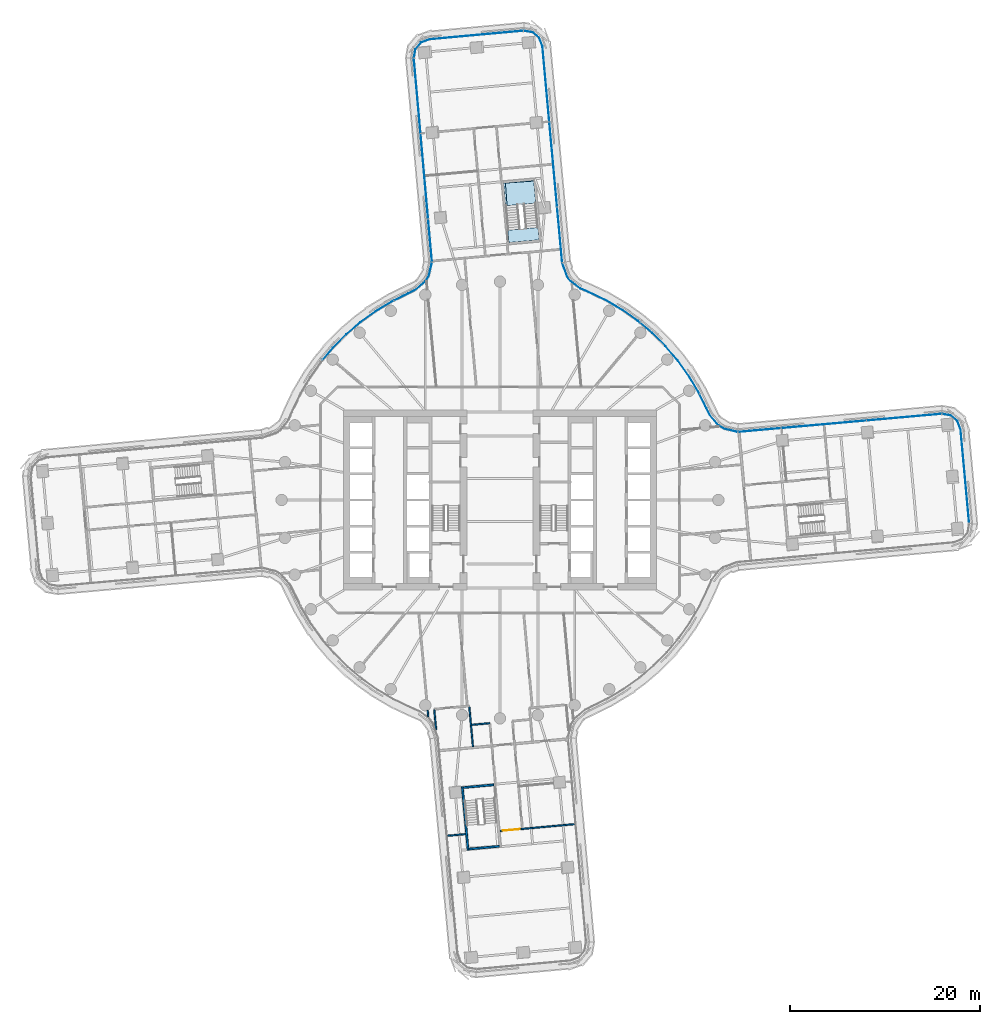
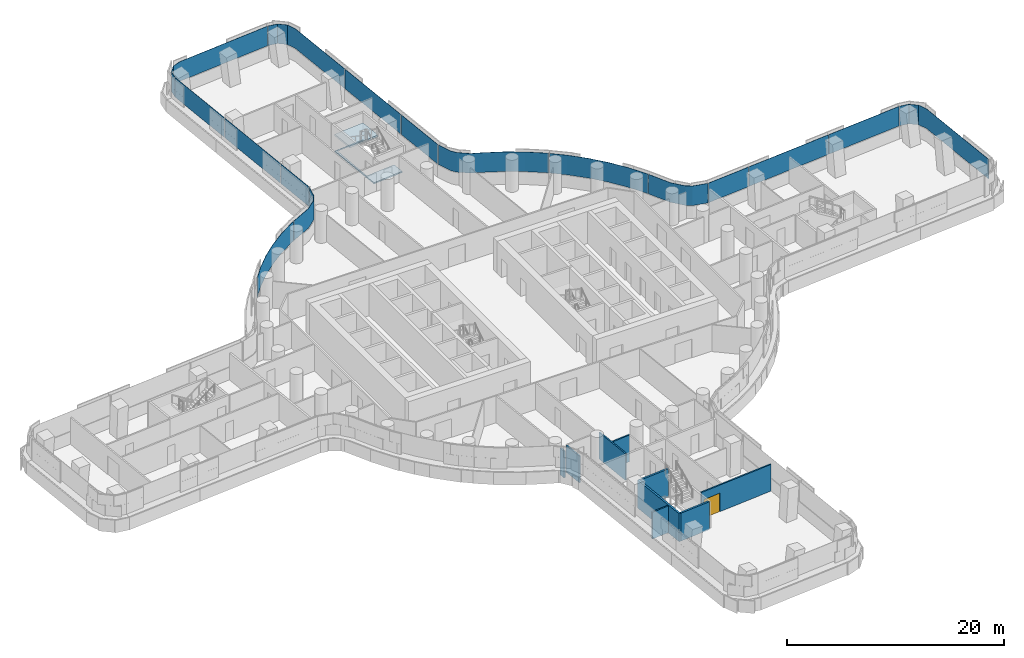
# One storey, part 18 of 31: 16 plates, 9 walls, 2 slabs, 1 door, 1 opening, 8 elements without a shape of their own.
"""IFC4 building model written with IfcOpenShell, lengths in metres."""

from ifc_helpers import new_model, si_unit, direction, frame, frame_2d, origin, place, context, subcontext, project, spatial, polyline, rectangle, outline, extrude, material, layer, layer_set, type_object, element, fill, aggregate, save


model = new_model("IFC4")

# Units and contexts
model_context = context("Model", 3, precision=1e-05, world=origin(), true_north=direction((0.0, 1.0)))
body_context = subcontext(model_context, "Body", "Model", "MODEL_VIEW")
ifc_project = project(units=[si_unit("LENGTHUNIT", "METRE"), si_unit("AREAUNIT", "SQUARE_METRE"), si_unit("VOLUMEUNIT", "CUBIC_METRE"), si_unit("PLANEANGLEUNIT", "RADIAN"), si_unit("MASSUNIT", "GRAM", prefix="KILO")], contexts=[model_context])

# Site, building, storey
site_placement = place(None, origin())
site = spatial("IfcSite", under=ifc_project, at=site_placement, CompositionType="ELEMENT")
building_placement = place(site_placement, origin())
building = spatial("IfcBuilding", under=site, at=building_placement, Name="Tamarind Cross Interchange Tower", CompositionType="ELEMENT")
storey_placement = place(building_placement, frame((0.0, 0.0, 52.75)))
storey = spatial("IfcBuildingStorey", under=building, at=storey_placement, Name="L11", CompositionType="ELEMENT", Elevation=52.75)

# Slab
ifc_material_1 = material(Name="Concrete C35", Category="concrete")
ifc_layer_1 = layer(ifc_material_1, 0.139892578125)
ifc_layer_set_1 = layer_set([ifc_layer_1], Name="Concrete C35")
slab_type_1 = type_object("IfcSlabType", Name="Composite slab 140 Concrete C35", PredefinedType="FLOOR", material=ifc_layer_set_1)
slab_1_placement = place(storey_placement, frame((0.0, 0.0, -0.139892578125)))
element("IfcSlab", 1, at=slab_1_placement, inside=storey, type_object=slab_type_1, Name="Floor slab L11", PredefinedType="FLOOR", context=body_context, shape_type="SweptSolid", body=[
    extrude(outline(polyline([(0.93896484375, 27.106689453125), (4.12548828125, 27.398193359375), (4.013671875, 28.6220703125), (4.006103515625, 28.70458984375), (0.934326171875, 28.423828125), (0.57275390625, 33.3720703125), (3.5595703125, 33.590087890625), (3.552001953125, 33.671875), (0.365234375, 33.380615234375), (0.93896484375, 27.106689453125)])), origin(), (0.0, 0.0, 1.0), 0.139892578125),
])

# Stair, slab
ifc_material_2 = material(Name="Exit stair")
stair_type = type_object("IfcStairType", Name="Exit stair", PredefinedType="HALF_TURN_STAIR", material=ifc_material_2)
stair_placement = place(storey_placement, origin())
stair = element("IfcStair", 2, at=stair_placement, inside=storey, type_object=stair_type, Name="L11 exit stair ST4", PredefinedType="HALF_TURN_STAIR")
ifc_material_3 = material(Name="Concrete C40", Category="concrete")
ifc_layer_2 = layer(ifc_material_3, 0.199951171875)
ifc_layer_set_2 = layer_set([ifc_layer_2], Name="Concrete C40")
slab_type_2 = type_object("IfcSlabType", Name="Stair landing", PredefinedType="LANDING", material=ifc_layer_set_2)
slab_2_placement = place(storey_placement, frame((0.0, 0.0, 1.675048828125)))
slab_2 = element("IfcSlab", 3, at=slab_2_placement, type_object=slab_type_2, Name="ST4 landing 1", PredefinedType="LANDING", context=body_context, shape_type="SweptSolid", body=[
    extrude(outline(polyline([(3.771728515625, 31.27001953125), (3.552001953125, 33.671875), (0.365234375, 33.380615234375), (0.5849609375, 30.978515625), (3.771728515625, 31.27001953125)])), origin(), (0.0, 0.0, 1.0), 0.199951171875),
])
aggregate(stair, [slab_2])

# Curtain wall, plate
ifc_material_4 = material(Name="Aluminium 6063-T6", Category="aluminium")
ifc_layer_3 = layer(ifc_material_4, 0.159912109375)
ifc_layer_set_3 = layer_set([ifc_layer_3], Name="Aluminium 6063-T6")
curtain_wall_type = type_object("IfcCurtainWallType", Name="Office curtain wall, 9.0 m bays", PredefinedType="NOTDEFINED", material=ifc_layer_set_3)
curtain_wall_1_placement = place(storey_placement, origin())
curtain_wall_1 = element("IfcCurtainWall", 4, at=curtain_wall_1_placement, inside=storey, type_object=curtain_wall_type, Name="CWS-L11-00", PredefinedType="NOTDEFINED")
ifc_material_5 = material(Name="Laminated low-e glass 8+1.52+8", Category="glass")
ifc_layer_4 = layer(ifc_material_5, 0.028076171875)
ifc_layer_set_4 = layer_set([ifc_layer_4], Name="Laminated low-e glass 8+1.52+8")
plate_type = type_object("IfcPlateType", Name="Vision panel CW1", PredefinedType="CURTAIN_PANEL", material=ifc_layer_set_4)
plate_1_placement = place(storey_placement, frame((0.0, 0.0, 1.39990234375)))
plate_1 = element("IfcPlate", 5, at=plate_1_placement, type_object=plate_type, Name="CWP-L11-00-00", PredefinedType="CURTAIN_PANEL", context=body_context, shape_type="SweptSolid", body=[
    extrude(outline(polyline([(2.459228515625, 49.39794921875), (-7.4150390625, 48.4951171875), (-8.30615234375, 48.166748046875), (-8.895263671875, 47.459228515625), (-9.0517578125, 46.55078125), (-9.079345703125, 46.555419921875), (-8.92138671875, 47.471435546875), (-8.322998046875, 48.1904296875), (-7.421142578125, 48.522705078125), (2.456787109375, 49.42578125), (2.459228515625, 49.39794921875)])), origin(), (0.0, 0.0, 1.0), 2.210205078125),
])
aggregate(curtain_wall_1, [plate_1])

# Curtain wall, plates
curtain_wall_2_placement = place(storey_placement, origin())
curtain_wall_2 = element("IfcCurtainWall", 6, at=curtain_wall_2_placement, inside=storey, type_object=curtain_wall_type, Name="CWS-L11-01", PredefinedType="NOTDEFINED")
plate_2_placement = place(storey_placement, frame((0.0, 0.0, 1.39990234375)))
plate_2 = element("IfcPlate", 7, at=plate_2_placement, type_object=plate_type, Name="CWP-L11-01-00", PredefinedType="CURTAIN_PANEL", context=body_context, shape_type="SweptSolid", body=[
    extrude(outline(polyline([(-9.053955078125, 46.494873046875), (-8.35205078125, 38.609619140625), (-8.3798828125, 38.607177734375), (-9.081787109375, 46.492431640625), (-9.053955078125, 46.494873046875)])), origin(), (0.0, 0.0, 1.0), 2.210205078125),
])
plate_3_placement = place(storey_placement, frame((0.0, 0.0, 1.39990234375)))
plate_3 = element("IfcPlate", 8, at=plate_3_placement, type_object=plate_type, Name="CWP-L11-01-01", PredefinedType="CURTAIN_PANEL", context=body_context, shape_type="SweptSolid", body=[
    extrude(outline(polyline([(-8.3466796875, 38.550048828125), (-7.553466796875, 29.642578125), (-7.58154296875, 29.64013671875), (-8.37451171875, 38.54736328125), (-8.3466796875, 38.550048828125)])), origin(), (0.0, 0.0, 1.0), 2.210205078125),
])
plate_4_placement = place(storey_placement, frame((0.0, 0.0, 1.39990234375)))
plate_4 = element("IfcPlate", 9, at=plate_4_placement, type_object=plate_type, Name="CWP-L11-01-02", PredefinedType="CURTAIN_PANEL", context=body_context, shape_type="SweptSolid", body=[
    extrude(outline(polyline([(-7.54833984375, 29.582763671875), (-7.146484375, 25.070068359375), (-7.17431640625, 25.067626953125), (-7.576171875, 29.580322265625), (-7.54833984375, 29.582763671875)])), origin(), (0.0, 0.0, 1.0), 2.210205078125),
])
aggregate(curtain_wall_2, [plate_2, plate_3, plate_4])

curtain_wall_3_placement = place(storey_placement, origin())
curtain_wall_3 = element("IfcCurtainWall", 10, at=curtain_wall_3_placement, inside=storey, type_object=curtain_wall_type, Name="CWS-L11-02", PredefinedType="NOTDEFINED")
plate_5_placement = place(storey_placement, frame((0.0, 0.0, 1.39990234375)))
plate_5 = element("IfcPlate", 11, at=plate_5_placement, type_object=plate_type, Name="CWP-L11-02-00", PredefinedType="CURTAIN_PANEL", context=body_context, shape_type="SweptSolid", body=[
    extrude(outline(polyline([(-7.15087890625, 25.006591796875), (-7.48388671875, 23.593505859375), (-7.844970703125, 23.009521484375), (-8.978271484375, 22.0654296875), (-9.638916015625, 21.7412109375), (-11.133056640625, 21.002685546875), (-11.1455078125, 21.02783203125), (-9.6513671875, 21.766357421875), (-8.99365234375, 22.089111328125), (-7.866455078125, 23.028076171875), (-7.510009765625, 23.6044921875), (-7.17822265625, 25.012939453125), (-7.15087890625, 25.006591796875)])), origin(), (0.0, 0.0, 1.0), 2.210205078125),
])
plate_6_placement = place(storey_placement, frame((0.0, 0.0, 1.39990234375)))
plate_6 = element("IfcPlate", 12, at=plate_6_placement, type_object=plate_type, Name="CWP-L11-02-01", PredefinedType="CURTAIN_PANEL", context=body_context, shape_type="SweptSolid", body=[
    extrude(outline(polyline([(-11.186767578125, 20.976318359375), (-11.40869140625, 20.866455078125), (-13.093017578125, 19.85302734375), (-14.687744140625, 18.7041015625), (-16.18212890625, 17.42724609375), (-17.56591796875, 16.031494140625), (-18.630126953125, 14.76416015625), (-18.651611328125, 14.781982421875), (-17.586669921875, 16.05029296875), (-16.201171875, 17.44775390625), (-14.705078125, 18.72607421875), (-13.1083984375, 19.87646484375), (-11.422119140625, 20.89111328125), (-11.19921875, 21.001220703125), (-11.186767578125, 20.976318359375)])), origin(), (0.0, 0.0, 1.0), 2.210205078125),
])
aggregate(curtain_wall_3, [plate_5, plate_6])

# Curtain wall, plate
curtain_wall_4_placement = place(storey_placement, origin())
curtain_wall_4 = element("IfcCurtainWall", 13, at=curtain_wall_4_placement, inside=storey, type_object=curtain_wall_type, Name="CWS-L11-12", PredefinedType="NOTDEFINED")
plate_7_placement = place(storey_placement, frame((0.0, 0.0, 1.39990234375)))
plate_7 = element("IfcPlate", 14, at=plate_7_placement, type_object=plate_type, Name="CWP-L11-12-00", PredefinedType="CURTAIN_PANEL", context=body_context, shape_type="SweptSolid", body=[
    extrude(outline(polyline([(49.39794921875, -2.459228515625), (48.4951171875, 7.4150390625), (48.166748046875, 8.30615234375), (47.459228515625, 8.895263671875), (46.55078125, 9.0517578125), (46.555419921875, 9.079345703125), (47.471435546875, 8.92138671875), (48.1904296875, 8.322998046875), (48.522705078125, 7.421142578125), (49.42578125, -2.456787109375), (49.39794921875, -2.459228515625)])), origin(), (0.0, 0.0, 1.0), 2.210205078125),
])
aggregate(curtain_wall_4, [plate_7])

# Curtain wall, plates
curtain_wall_5_placement = place(storey_placement, origin())
curtain_wall_5 = element("IfcCurtainWall", 15, at=curtain_wall_5_placement, inside=storey, type_object=curtain_wall_type, Name="CWS-L11-13", PredefinedType="NOTDEFINED")
plate_8_placement = place(storey_placement, frame((0.0, 0.0, 1.39990234375)))
plate_8 = element("IfcPlate", 16, at=plate_8_placement, type_object=plate_type, Name="CWP-L11-13-00", PredefinedType="CURTAIN_PANEL", context=body_context, shape_type="SweptSolid", body=[
    extrude(outline(polyline([(46.494873046875, 9.053955078125), (38.609619140625, 8.35205078125), (38.607177734375, 8.3798828125), (46.492431640625, 9.081787109375), (46.494873046875, 9.053955078125)])), origin(), (0.0, 0.0, 1.0), 2.210205078125),
])
plate_9_placement = place(storey_placement, frame((0.0, 0.0, 1.39990234375)))
plate_9 = element("IfcPlate", 17, at=plate_9_placement, type_object=plate_type, Name="CWP-L11-13-01", PredefinedType="CURTAIN_PANEL", context=body_context, shape_type="SweptSolid", body=[
    extrude(outline(polyline([(38.550048828125, 8.3466796875), (29.642578125, 7.553466796875), (29.64013671875, 7.58154296875), (38.54736328125, 8.37451171875), (38.550048828125, 8.3466796875)])), origin(), (0.0, 0.0, 1.0), 2.210205078125),
])
plate_10_placement = place(storey_placement, frame((0.0, 0.0, 1.39990234375)))
plate_10 = element("IfcPlate", 18, at=plate_10_placement, type_object=plate_type, Name="CWP-L11-13-02", PredefinedType="CURTAIN_PANEL", context=body_context, shape_type="SweptSolid", body=[
    extrude(outline(polyline([(29.582763671875, 7.54833984375), (25.070068359375, 7.146484375), (25.067626953125, 7.17431640625), (29.580322265625, 7.576171875), (29.582763671875, 7.54833984375)])), origin(), (0.0, 0.0, 1.0), 2.210205078125),
])
aggregate(curtain_wall_5, [plate_8, plate_9, plate_10])

curtain_wall_6_placement = place(storey_placement, origin())
curtain_wall_6 = element("IfcCurtainWall", 19, at=curtain_wall_6_placement, inside=storey, type_object=curtain_wall_type, Name="CWS-L11-14", PredefinedType="NOTDEFINED")
plate_11_placement = place(storey_placement, frame((0.0, 0.0, 1.39990234375)))
plate_11 = element("IfcPlate", 20, at=plate_11_placement, type_object=plate_type, Name="CWP-L11-14-00", PredefinedType="CURTAIN_PANEL", context=body_context, shape_type="SweptSolid", body=[
    extrude(outline(polyline([(25.006591796875, 7.15087890625), (23.593505859375, 7.48388671875), (23.009521484375, 7.844970703125), (22.0654296875, 8.978271484375), (21.7412109375, 9.638916015625), (21.002685546875, 11.133056640625), (21.02783203125, 11.1455078125), (21.766357421875, 9.6513671875), (22.089111328125, 8.99365234375), (23.028076171875, 7.866455078125), (23.6044921875, 7.510009765625), (25.012939453125, 7.17822265625), (25.006591796875, 7.15087890625)])), origin(), (0.0, 0.0, 1.0), 2.210205078125),
])
plate_12_placement = place(storey_placement, frame((0.0, 0.0, 1.39990234375)))
plate_12 = element("IfcPlate", 21, at=plate_12_placement, type_object=plate_type, Name="CWP-L11-14-01", PredefinedType="CURTAIN_PANEL", context=body_context, shape_type="SweptSolid", body=[
    extrude(outline(polyline([(20.976318359375, 11.186767578125), (20.866455078125, 11.40869140625), (19.85302734375, 13.093017578125), (18.7041015625, 14.687744140625), (17.42724609375, 16.18212890625), (16.031494140625, 17.56591796875), (14.76416015625, 18.630126953125), (14.781982421875, 18.651611328125), (16.05029296875, 17.586669921875), (17.44775390625, 16.201171875), (18.72607421875, 14.705078125), (19.87646484375, 13.1083984375), (20.89111328125, 11.422119140625), (21.001220703125, 11.19921875), (20.976318359375, 11.186767578125)])), origin(), (0.0, 0.0, 1.0), 2.210205078125),
])
plate_13_placement = place(storey_placement, frame((0.0, 0.0, 1.39990234375)))
plate_13 = element("IfcPlate", 22, at=plate_13_placement, type_object=plate_type, Name="CWP-L11-14-02", PredefinedType="CURTAIN_PANEL", context=body_context, shape_type="SweptSolid", body=[
    extrude(outline(polyline([(14.718017578125, 18.668701171875), (14.526123046875, 18.829833984375), (12.921630859375, 19.965087890625), (11.228759765625, 20.9638671875), (9.455322265625, 21.821533203125), (8.443603515625, 22.2578125), (7.4248046875, 23.030517578125), (7.06494140625, 23.5087890625), (6.55322265625, 24.943603515625), (6.57958984375, 24.952880859375), (7.08984375, 23.522216796875), (7.44482421875, 23.050537109375), (8.457763671875, 22.2822265625), (9.467041015625, 21.846923828125), (11.241943359375, 20.98876953125), (12.936767578125, 19.988525390625), (14.543212890625, 18.85205078125), (14.736083984375, 18.690185546875), (14.718017578125, 18.668701171875)])), origin(), (0.0, 0.0, 1.0), 2.210205078125),
])
aggregate(curtain_wall_6, [plate_11, plate_12, plate_13])

curtain_wall_7_placement = place(storey_placement, origin())
curtain_wall_7 = element("IfcCurtainWall", 23, at=curtain_wall_7_placement, inside=storey, type_object=curtain_wall_type, Name="CWS-L11-15", PredefinedType="NOTDEFINED")
plate_14_placement = place(storey_placement, frame((0.0, 0.0, 1.39990234375)))
plate_14 = element("IfcPlate", 24, at=plate_14_placement, type_object=plate_type, Name="CWP-L11-15-00", PredefinedType="CURTAIN_PANEL", context=body_context, shape_type="SweptSolid", body=[
    extrude(outline(polyline([(6.53955078125, 25.005126953125), (6.007080078125, 30.828125), (6.03515625, 30.83056640625), (6.5673828125, 25.007568359375), (6.53955078125, 25.005126953125)])), origin(), (0.0, 0.0, 1.0), 2.210205078125),
])
plate_15_placement = place(storey_placement, frame((0.0, 0.0, 1.39990234375)))
plate_15 = element("IfcPlate", 25, at=plate_15_placement, type_object=plate_type, Name="CWP-L11-15-01", PredefinedType="CURTAIN_PANEL", context=body_context, shape_type="SweptSolid", body=[
    extrude(outline(polyline([(6.001708984375, 30.887939453125), (5.187744140625, 39.790283203125), (5.215576171875, 39.792724609375), (6.029541015625, 30.890380859375), (6.001708984375, 30.887939453125)])), origin(), (0.0, 0.0, 1.0), 2.210205078125),
])
plate_16_placement = place(storey_placement, frame((0.0, 0.0, 1.39990234375)))
plate_16 = element("IfcPlate", 26, at=plate_16_placement, type_object=plate_type, Name="CWP-L11-15-02", PredefinedType="CURTAIN_PANEL", context=body_context, shape_type="SweptSolid", body=[
    extrude(outline(polyline([(5.182373046875, 39.85009765625), (4.459228515625, 47.759033203125), (4.130859375, 48.650146484375), (3.42333984375, 49.2392578125), (2.51513671875, 49.395751953125), (2.519775390625, 49.42333984375), (3.435546875, 49.265380859375), (4.154541015625, 48.6669921875), (4.48681640625, 47.76513671875), (5.210205078125, 39.8525390625), (5.182373046875, 39.85009765625)])), origin(), (0.0, 0.0, 1.0), 2.210205078125),
])
aggregate(curtain_wall_7, [plate_14, plate_15, plate_16])

# Walls
ifc_material_6 = material(Name="Gypsum board partition on steel studs", Category="steel")
ifc_layer_5 = layer(ifc_material_6, 0.14990234375)
ifc_layer_set_5 = layer_set([ifc_layer_5], Name="Gypsum board partition on steel studs")
wall_type_1 = type_object("IfcWallType", Name="Partition 150 mm EI 120", PredefinedType="PARTITIONING", material=ifc_layer_set_5)
wall_1_placement = place(storey_placement, frame((-7.616943359375, -22.156005859375, 0.0), z_axis=(0.0, 0.0, 1.0), x_axis=(0.090897799237, -0.995860226183, 0.0)))
element("IfcWall", 27, at=wall_1_placement, inside=storey, type_object=wall_type_1, Name="Partition L11-007", PredefinedType="PARTITIONING", context=body_context, shape_type="SweptSolid", body=[
    extrude(rectangle(XDim=0.668701171875, YDim=0.14990234375, at=frame_2d((0.33447265625, 0.0))), origin(), (0.0, 0.0, 1.0), 3.010009765625),
])
wall_2_placement = place(storey_placement, frame((-6.920166015625, -22.095703125, 0.0), z_axis=(0.0, 0.0, 1.0), x_axis=(0.091078328517, -0.995843731754, 0.0)))
element("IfcWall", 28, at=wall_2_placement, inside=storey, type_object=wall_type_1, Name="Partition L11-008", PredefinedType="PARTITIONING", context=body_context, shape_type="SweptSolid", body=[
    extrude(rectangle(XDim=2.109619140625, YDim=0.14990234375, at=frame_2d((1.0546875, 0.0))), origin(), (0.0, 0.0, 1.0), 3.010009765625),
])
wall_3_placement = place(storey_placement, frame((-3.235107421875, -21.7587890625, 0.0), z_axis=(0.0, 0.0, 1.0), x_axis=(0.090914712036, -0.995858682312, 0.0)))
element("IfcWall", 29, at=wall_3_placement, inside=storey, type_object=wall_type_1, Name="Partition L11-012", PredefinedType="PARTITIONING", context=body_context, shape_type="SweptSolid", body=[
    extrude(rectangle(XDim=4.240234375, YDim=0.14990234375, at=frame_2d((2.1201171875, 0.0))), origin(), (0.0, 0.0, 1.0), 3.010009765625),
])
wall_4_placement = place(storey_placement, frame((-5.505615234375, -35.35693359375, 0.0), z_axis=(0.0, 0.0, 1.0), x_axis=(0.995850035919, 0.091009372925, 0.0)))
element("IfcWall", 30, at=wall_4_placement, inside=storey, type_object=wall_type_1, Name="Partition L11-055", PredefinedType="PARTITIONING", context=body_context, shape_type="SweptSolid", body=[
    extrude(rectangle(XDim=1.859130859375, YDim=0.14990234375, at=frame_2d((0.9296875, 0.0))), origin(), (0.0, 0.0, 1.0), 3.010009765625),
])

# Wall, opening, door
wall_5_placement = place(storey_placement, frame((0.01025390625, -34.853271484375, 0.0), z_axis=(0.0, 0.0, 1.0), x_axis=(0.995857615288, 0.090926399208, 0.0)))
wall_5 = element("IfcWall", 31, at=wall_5_placement, inside=storey, type_object=wall_type_1, Name="Partition L11-056", PredefinedType="PARTITIONING", context=body_context, shape_type="SweptSolid", body=[
    extrude(rectangle(XDim=7.888671875, YDim=0.14990234375, at=frame_2d((3.9443359375, 0.0))), origin(), (0.0, 0.0, 1.0), 3.010009765625),
])
opening_placement = place(wall_5_placement, frame((0.300048828125, 0.0, 0.0)))
opening = element("IfcOpeningElement", 32, at=opening_placement, cuts=wall_5, Name="Opening D33", PredefinedType="OPENING", context=body_context, shape_type="SweptSolid", body=[
    extrude(rectangle(XDim=1.800048828125, YDim=2.10009765625, at=frame_2d((0.89990234375, 1.050048828125))), frame((0.0, 0.0849609375, 0.0), z_axis=(0.0, -1.0, 0.0), x_axis=(1.0, 0.0, 0.0)), (0.0, 0.0, 1.0), 0.169921875),
])
ifc_material_7 = material(Name="Fire-resisting door set")
door_type = type_object("IfcDoorType", Name="Interior door 1800 x 2100 FD60S", OperationType="DOUBLE_DOOR_SINGLE_SWING", PredefinedType="DOOR", material=ifc_material_7)
door_placement = place(opening_placement, frame((1.800048828125, 0.0, 0.0), z_axis=(0.0, 0.0, 1.0), x_axis=(-1.0, 0.0, 0.0)))
door = element("IfcDoor", 33, at=door_placement, inside=storey, type_object=door_type, Name="Door D33", OperationType="DOUBLE_DOOR_SINGLE_SWING", OverallHeight=2.10009765625, OverallWidth=1.800048828125, PredefinedType="DOOR", context=body_context, shape_type="SweptSolid", body=[
    extrude(rectangle(XDim=1.800048828125, YDim=2.10009765625, at=frame_2d((0.89990234375, 1.050048828125))), frame((0.0, 0.02490234375, 0.0), z_axis=(0.0, -1.0, 0.0), x_axis=(1.0, 0.0, 0.0)), (0.0, 0.0, 1.0), 0.050048828125),
])
fill(opening, door)

# Walls
wall_6_placement = place(storey_placement, frame((-2.9892578125, -23.6796875, 0.0), z_axis=(0.0, 0.0, 1.0), x_axis=(0.995794076304, 0.091619635436, 0.0)))
element("IfcWall", 34, at=wall_6_placement, inside=storey, type_object=wall_type_1, Name="Partition L11-057", PredefinedType="PARTITIONING", context=body_context, shape_type="SweptSolid", body=[
    extrude(rectangle(XDim=1.92919921875, YDim=0.14990234375, at=frame_2d((0.964599609375, 0.0))), origin(), (0.0, 0.0, 1.0), 3.010009765625),
])
ifc_layer_6 = layer(ifc_material_3, 0.199951171875)
ifc_layer_set_6 = layer_set([ifc_layer_6], Name="Concrete C40")
wall_type_2 = type_object("IfcWallType", Name="Stair shaft wall 200 mm Concrete C40", PredefinedType="SHEAR", material=ifc_layer_set_6)
wall_7_placement = place(storey_placement, frame((-3.97021484375, -30.195556640625, -0.139892578125), z_axis=(0.0, 0.0, 1.0), x_axis=(0.091025275677, -0.99584858246, 0.0)))
element("IfcWall", 35, at=wall_7_placement, inside=storey, type_object=wall_type_2, Name="Core wall CWL-L11-ST6-C", PredefinedType="SHEAR", context=body_context, shape_type="SweptSolid", body=[
    extrude(rectangle(XDim=6.699951171875, YDim=0.199951171875, at=frame_2d((3.35009765625, 0.0))), origin(), (0.0, 0.0, 1.0), 3.14990234375),
])
wall_8_placement = place(storey_placement, frame((-3.861572265625, -30.285888671875, -0.139892578125), z_axis=(0.0, 0.0, 1.0), x_axis=(0.995849315528, 0.0910172553, 0.0)))
element("IfcWall", 36, at=wall_8_placement, inside=storey, type_object=wall_type_2, Name="Core wall CWL-L11-ST6-CE", PredefinedType="SHEAR", context=body_context, shape_type="SweptSolid", body=[
    extrude(rectangle(XDim=3.199951171875, YDim=0.199951171875, at=frame_2d((1.60009765625, 0.0))), origin(), (0.0, 0.0, 1.0), 3.14990234375),
])
wall_9_placement = place(storey_placement, frame((0.0, 0.0, -0.139892578125)))
element("IfcWall", 37, at=wall_9_placement, inside=storey, type_object=wall_type_2, Name="Core wall CWL-L11-ST6-CF", PredefinedType="SHEAR", context=body_context, shape_type="SweptSolid", body=[
    extrude(outline(polyline([(-3.27880859375, -36.659423828125), (-3.2607421875, -36.858642578125), (-0.073974609375, -36.567138671875), (-0.09228515625, -36.3681640625), (-3.27880859375, -36.659423828125)])), origin(), (0.0, 0.0, 1.0), 3.14990234375),
])

save(model, "model.ifc")
